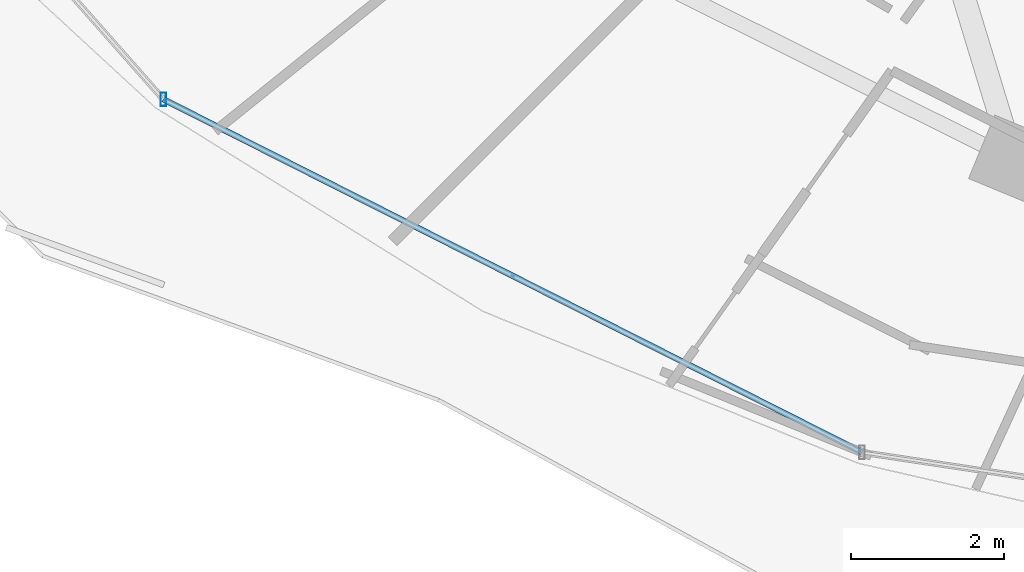
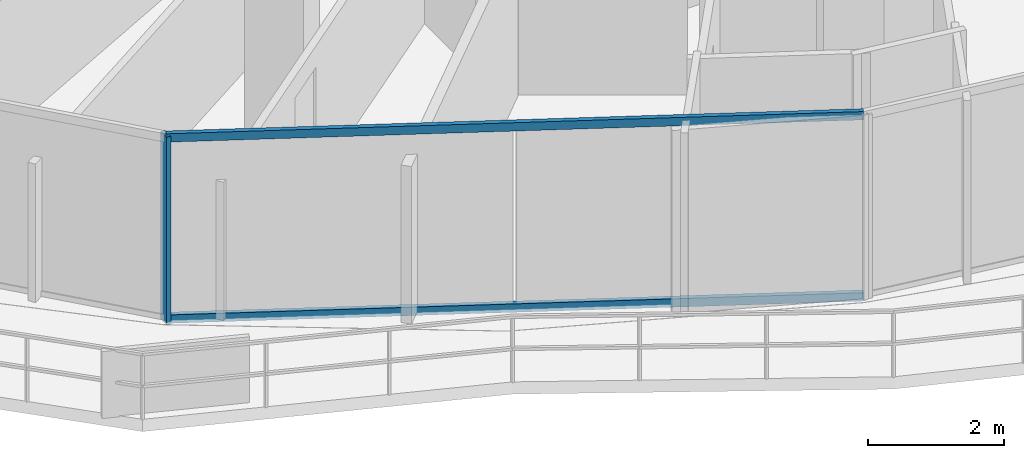
# One storey, part 2 of 33: 3 members, 1 element without a shape of its own.
"""IFC4 building model written with IfcOpenShell, lengths in metres."""

from ifc_helpers import new_model, si_unit, direction, frame, origin, origin_2d, place, context, subcontext, project, spatial, hollow_rectangle, extrude, material, material_profile, profile_set, type_object, element, aggregate, save


model = new_model("IFC4")

# Units and contexts
model_context = context("Model", 3, precision=1e-05, world=origin(), true_north=direction((0.0, 1.0)))
body_context = subcontext(model_context, "Body", "Model", "MODEL_VIEW")
ifc_project = project(units=[si_unit("LENGTHUNIT", "METRE"), si_unit("AREAUNIT", "SQUARE_METRE"), si_unit("VOLUMEUNIT", "CUBIC_METRE"), si_unit("PLANEANGLEUNIT", "RADIAN"), si_unit("MASSUNIT", "GRAM", prefix="KILO")], contexts=[model_context])

# Site, building, storey
site_placement = place(None, origin())
site = spatial("IfcSite", under=ifc_project, at=site_placement, CompositionType="ELEMENT")
building_placement = place(site_placement, origin())
building = spatial("IfcBuilding", under=site, at=building_placement, Name="Vorneva Point Tower", CompositionType="ELEMENT")
storey_placement = place(building_placement, frame((0.0, 0.0, 203.64990234375)))
storey = spatial("IfcBuildingStorey", under=building, at=storey_placement, Name="L55", CompositionType="ELEMENT", Elevation=203.64990234375)

# Curtain wall, members
ifc_material = material(Name="Pale anodised aluminium", Category="aluminium")
curtain_wall_type = type_object("IfcCurtainWallType", Name="CW-RES-SYS", PredefinedType="NOTDEFINED", material=ifc_material)
curtain_wall_placement = place(storey_placement, origin())
curtain_wall = element("IfcCurtainWall", 1, at=curtain_wall_placement, inside=storey, type_object=curtain_wall_type, Name="L55 Unitised Curtain Wall CW-L55-R03", PredefinedType="NOTDEFINED")
ifc_material_profile_1 = material_profile(ifc_material, hollow_rectangle(XDim=0.074951171875, YDim=0.179931640625, WallThickness=0.00390625, at=origin_2d()), Name="AL-MUL 180x75x4")
ifc_profile_set_1 = profile_set([ifc_material_profile_1], Name="Pale anodised aluminium")
member_type_1 = type_object("IfcMemberType", Name="CW-MUL-180", PredefinedType="MULLION", material=ifc_profile_set_1)
member_1_placement = place(storey_placement, frame((18.038330078125, 10.9033203125, -0.039794921875), z_axis=(0.0, 0.0, 1.0), x_axis=(1.0, 0.0, 0.0)))
member_1 = element("IfcMember", 2, at=member_1_placement, type_object=member_type_1, Name="CW-L55-R03 Mullion 02", PredefinedType="MULLION", context=body_context, shape_type="SweptSolid", body=[
    extrude(hollow_rectangle(XDim=0.074951171875, YDim=0.179931640625, WallThickness=0.00390625, at=origin_2d()), origin(), (0.0, 0.0, 1.0), 3.35986328125),
])
ifc_material_profile_2 = material_profile(ifc_material, hollow_rectangle(XDim=0.074951171875, YDim=0.14990234375, WallThickness=0.00390625, at=origin_2d()), Name="AL-TRN 150x75x4")
ifc_profile_set_2 = profile_set([ifc_material_profile_2], Name="Pale anodised aluminium")
member_type_2 = type_object("IfcMemberType", Name="CW-TRN-150", PredefinedType="USERDEFINED", material=ifc_profile_set_2)
member_2_placement = place(storey_placement, frame((18.038330078125, 10.9033203125, 0.02001953125), z_axis=(0.892510927709, -0.451025768576, 0.0), x_axis=(0.451025768576, 0.892510927709, 0.0)))
member_2 = element("IfcMember", 3, at=member_2_placement, type_object=member_type_2, Name="CW-L55-R03 Transom 02.1", ObjectType="TRANSOM", PredefinedType="USERDEFINED", context=body_context, shape_type="SweptSolid", body=[
    extrude(hollow_rectangle(XDim=0.074951171875, YDim=0.14990234375, WallThickness=0.00390625, at=origin_2d()), origin(), (0.0, 0.0, 1.0), 10.261474609375),
])
member_3_placement = place(storey_placement, frame((18.038330078125, 10.9033203125, 3.27001953125), z_axis=(0.892510927709, -0.451025768576, 0.0), x_axis=(0.451025768576, 0.892510927709, 0.0)))
member_3 = element("IfcMember", 4, at=member_3_placement, type_object=member_type_2, Name="CW-L55-R03 Transom 02.2", ObjectType="TRANSOM", PredefinedType="USERDEFINED", context=body_context, shape_type="SweptSolid", body=[
    extrude(hollow_rectangle(XDim=0.074951171875, YDim=0.14990234375, WallThickness=0.00390625, at=origin_2d()), origin(), (0.0, 0.0, 1.0), 10.261474609375),
])
aggregate(curtain_wall, [member_1, member_2, member_3])

save(model, "model.ifc")
